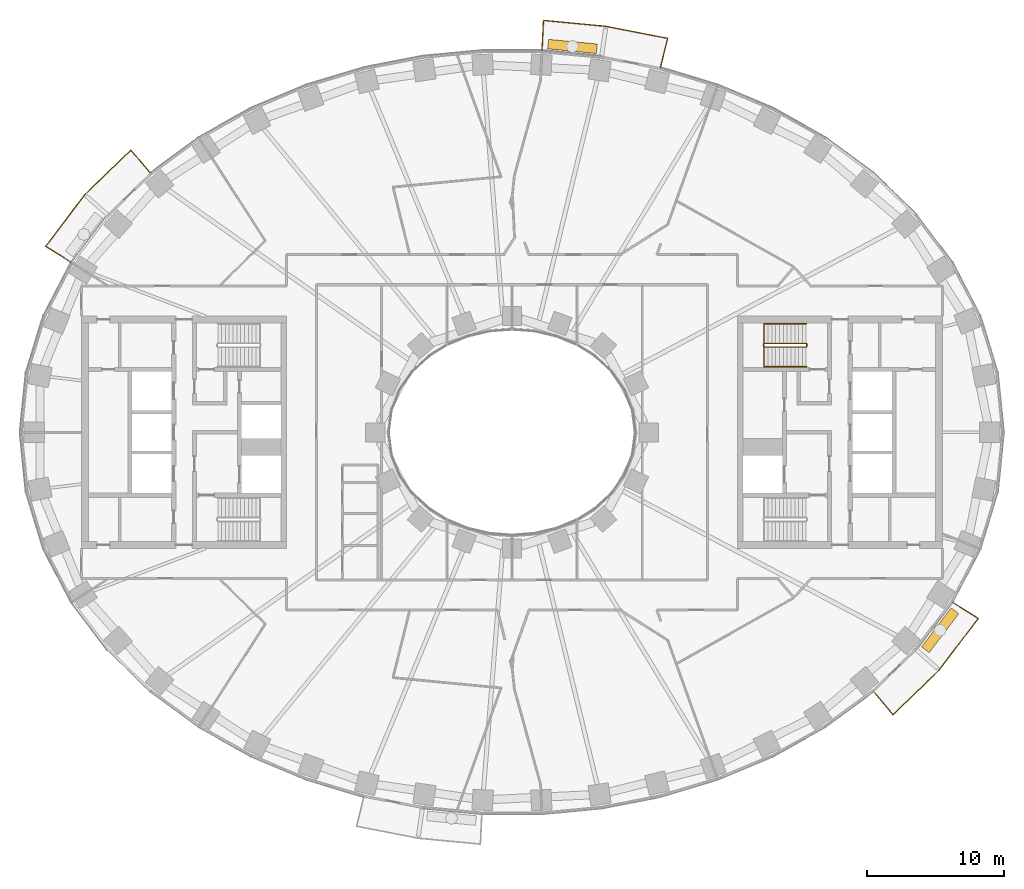
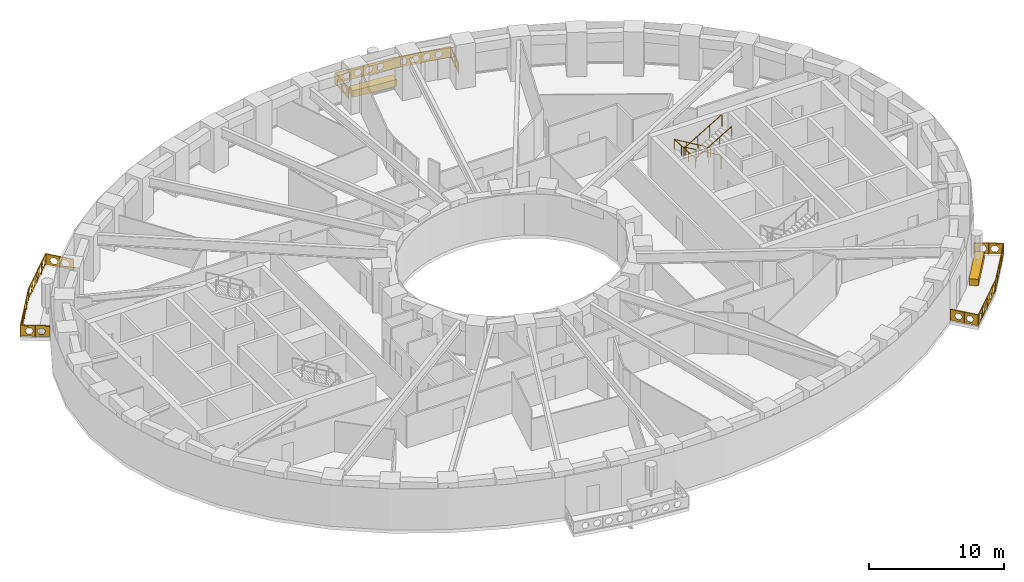
# One storey, part 15 of 16: 5 railings, 2 coverings.
"""IFC4 building model written with IfcOpenShell, lengths in metres."""

import ifcopenshell
import ifcopenshell.guid

model = None  # the IFC model being written
_history = None  # IfcOwnerHistory: only IFC2X3 demands one
_inside = {}  # id of a spatial element -> (the spatial element, [elements in it])
_under = {}  # id of a project, library or spatial element -> (it, [spatial elements below it])
_declared = {}  # id of a project -> (the project, [libraries it declares])
_typed = {}  # id of a type object -> (the type object, [elements of that type])
_made_of = {}  # id of a material, layer set ... -> (it, [elements and type objects made of it])


def new_model(schema):
    """Start an empty IFC model of exactly this schema.

    Asked for "IFC4X3", IfcOpenShell would pick the latest addendum, in which some entities
    have other attributes; the version numbers below select the first issue.
    IFC2X3 requires an IfcOwnerHistory on every rooted entity: one is made here for all.
    """
    global model, _history
    if schema == "IFC4X3":
        model = ifcopenshell.file(schema_version=(4, 3, 0, 0))
    else:
        model = ifcopenshell.file(schema=schema)
    _inside.clear()
    _under.clear()
    _declared.clear()
    _typed.clear()
    _made_of.clear()
    _history = None
    if model.schema == "IFC2X3":
        org = make("IfcOrganization", Name="unknown")
        user = make(
            "IfcPersonAndOrganization",
            ThePerson=make("IfcPerson", FamilyName="unknown"),
            TheOrganization=org,
        )
        app = make(
            "IfcApplication",
            ApplicationDeveloper=org,
            Version="unknown",
            ApplicationFullName="unknown",
            ApplicationIdentifier="unknown",
        )
        _history = make(
            "IfcOwnerHistory",
            OwningUser=user,
            OwningApplication=app,
            ChangeAction="ADDED",
            CreationDate=0,
        )
    return model


def make(cls, **values):
    """One entity of the class cls with the attributes given. An attribute that is None is left unset."""
    return model.create_entity(
        cls, **{name: value for name, value in values.items() if value is not None}
    )


def rooted(cls, **values):
    """An entity with a GlobalId (a new one), such as an element, a storey or a relation."""
    return make(cls, GlobalId=ifcopenshell.guid.new(), OwnerHistory=_history, **values)


def si_unit(unit_type, name, prefix=None):
    """IfcSIUnit, for example si_unit("LENGTHUNIT", "METRE", prefix="MILLI")."""
    return make("IfcSIUnit", UnitType=unit_type, Prefix=prefix, Name=name)


def assignment(units):
    """IfcUnitAssignment: the units of a project."""
    return None if units is None else make("IfcUnitAssignment", Units=units)


def point(xyz):
    """IfcCartesianPoint."""
    return None if xyz is None else make("IfcCartesianPoint", Coordinates=xyz)


def direction(xyz):
    """IfcDirection."""
    return None if xyz is None else make("IfcDirection", DirectionRatios=xyz)


def frame(location, z_axis=None, x_axis=None):
    """IfcAxis2Placement3D, a coordinate frame: its origin and axes. An axis left out is left unset."""
    return make(
        "IfcAxis2Placement3D",
        Location=point(location),
        Axis=direction(z_axis),
        RefDirection=direction(x_axis),
    )


def frame_2d(location, x_axis=None):
    """IfcAxis2Placement2D, a coordinate frame in the plane: its origin and x axis."""
    return make(
        "IfcAxis2Placement2D", Location=point(location), RefDirection=direction(x_axis)
    )


def origin():
    """The frame at (0, 0, 0) with its axes left unset."""
    return frame((0.0, 0.0, 0.0))


def origin_2d():
    """The frame at (0, 0) in the plane with its x axis left unset."""
    return frame_2d((0.0, 0.0))


def place(relative_to, where):
    """IfcLocalPlacement: puts the frame where relative to a parent placement (None: the world)."""
    return make(
        "IfcLocalPlacement", PlacementRelTo=relative_to, RelativePlacement=where
    )


def context(
    kind, dimensions, precision=None, world=None, true_north=None, identifier=None
):
    """IfcGeometricRepresentationContext, for example the 3D "Model" context."""
    return make(
        "IfcGeometricRepresentationContext",
        ContextIdentifier=identifier,
        ContextType=kind,
        CoordinateSpaceDimension=dimensions,
        Precision=precision,
        WorldCoordinateSystem=world,
        TrueNorth=true_north,
    )


def subcontext(parent, identifier, kind, view, scale=None):
    """IfcGeometricRepresentationSubContext, for example "Body" below "Model"."""
    return make(
        "IfcGeometricRepresentationSubContext",
        ContextIdentifier=identifier,
        ContextType=kind,
        ParentContext=parent,
        TargetScale=scale,
        TargetView=view,
    )


def project(units=None, contexts=None):
    """IfcProject with its units and contexts."""
    return rooted(
        "IfcProject",
        Name="project",
        RepresentationContexts=contexts,
        UnitsInContext=assignment(units),
    )


def spatial(cls, under=None, at=None, **own):
    """A site, building, storey or space (cls), placed at a placement, below another one or the project."""
    s = rooted(cls, ObjectPlacement=at, **own)
    if under is not None:
        _under.setdefault(under.id(), (under, []))[1].append(s)
    return s


def polyline(points):
    """IfcPolyline through the points."""
    return make("IfcPolyline", Points=[point(p) for p in points])


def profile(cls, at=None, kind="AREA", **sizes):
    """A parametric profile (cls). Its sizes go by their IFC names, for example OverallWidth=200.0."""
    return make(cls, ProfileType=kind, Position=at, **sizes)


def rectangle(**sizes):
    """IfcRectangleProfileDef."""
    return profile("IfcRectangleProfileDef", **sizes)


def outline(outer, holes=None, kind="AREA"):
    """IfcArbitraryClosedProfileDef: a profile drawn as a closed curve; with holes, ...WithVoids."""
    if holes is None:
        return make("IfcArbitraryClosedProfileDef", ProfileType=kind, OuterCurve=outer)
    return make(
        "IfcArbitraryProfileDefWithVoids",
        ProfileType=kind,
        OuterCurve=outer,
        InnerCurves=holes,
    )


def extrude(swept, where, along, depth):
    """IfcExtrudedAreaSolid: the profile swept, set in the frame where, extruded along a direction by depth."""
    return make(
        "IfcExtrudedAreaSolid",
        SweptArea=swept,
        Position=where,
        ExtrudedDirection=direction(along),
        Depth=depth,
    )


def shape(context_of_items, identifier, shape_type, items):
    """IfcShapeRepresentation: the items that make up one representation, for example the "Body"."""
    return make(
        "IfcShapeRepresentation",
        ContextOfItems=context_of_items,
        RepresentationIdentifier=identifier,
        RepresentationType=shape_type,
        Items=items,
    )


def material(Name=None, Category=None):
    """IfcMaterial."""
    return make("IfcMaterial", Name=Name, Category=Category)


def made_of(thing, what):
    """Note that an element or type object is made of a material, layer set ...; save() writes the relation."""
    if what is not None:
        _made_of.setdefault(what.id(), (what, []))[1].append(thing)
    return thing


def type_object(cls, material=None, **own):
    """A type object (cls), such as IfcWallType, which elements share."""
    return made_of(rooted(cls, **own), material)


def element(
    cls,
    number,
    at=None,
    inside=None,
    cuts=None,
    type_object=None,
    material=None,
    context=None,
    identifier="Body",
    shape_type=None,
    held_by="IfcProductDefinitionShape",
    body=None,
    shapes=None,
    **own,
):
    """One element of the class cls, such as IfcWall. Its Tag is "e" and its number.

    at: its placement. inside: the storey or other place that contains it. cuts: it is an
    opening in that element (IfcRelVoidsElement). A single representation is given by context,
    identifier, shape_type and body (its items); several are given by shapes. held_by: the class
    of the entity that holds the representations. save() writes the other relations.
    """
    e = rooted(cls, Tag="e%d" % number, ObjectPlacement=at, **own)
    if body is not None:
        shapes = [shape(context, identifier, shape_type, body)]
    if shapes is not None:
        e.Representation = make(held_by, Representations=shapes)
    if inside is not None:
        _inside.setdefault(inside.id(), (inside, []))[1].append(e)
    if cuts is not None:
        rooted(
            "IfcRelVoidsElement", RelatingBuildingElement=cuts, RelatedOpeningElement=e
        )
    if type_object is not None:
        _typed.setdefault(type_object.id(), (type_object, []))[1].append(e)
    return made_of(e, material)


def aggregate(whole, parts):
    """IfcRelAggregates: a whole, such as a stair, and the parts it consists of."""
    return rooted("IfcRelAggregates", RelatingObject=whole, RelatedObjects=parts)


def save(model, path):
    """Write the relations noted so far, then the file.

    IfcRelAggregates (storeys below a building ...), IfcRelContainedInSpatialStructure (elements
    in a storey), IfcRelDefinesByType, IfcRelAssociatesMaterial and IfcRelDeclares: one each for
    every whole, place, type object, material and project.
    """
    for whole, parts in _under.values():
        aggregate(whole, parts)
    for where, things in _inside.values():
        rooted(
            "IfcRelContainedInSpatialStructure",
            RelatedElements=things,
            RelatingStructure=where,
        )
    for kind, things in _typed.values():
        rooted("IfcRelDefinesByType", RelatedObjects=things, RelatingType=kind)
    for what, things in _made_of.values():
        rooted("IfcRelAssociatesMaterial", RelatedObjects=things, RelatingMaterial=what)
    for by, libraries in _declared.values():
        rooted("IfcRelDeclares", RelatingContext=by, RelatedDefinitions=libraries)
    model.write(path)


model = new_model("IFC4")

# Units and contexts
model_context = context("Model", 3, precision=1e-05, world=origin(), true_north=direction((0.0, 1.0)))
body_context = subcontext(model_context, "Body", "Model", "MODEL_VIEW")
ifc_project = project(units=[si_unit("LENGTHUNIT", "METRE"), si_unit("AREAUNIT", "SQUARE_METRE"), si_unit("VOLUMEUNIT", "CUBIC_METRE"), si_unit("PLANEANGLEUNIT", "RADIAN"), si_unit("MASSUNIT", "GRAM", prefix="KILO")], contexts=[model_context])

# Site, building, storey
site_placement = place(None, origin())
site = spatial("IfcSite", under=ifc_project, at=site_placement, CompositionType="ELEMENT")
building_placement = place(site_placement, origin())
building = spatial("IfcBuilding", under=site, at=building_placement, Name="Noorbagh Ring Tower", CompositionType="ELEMENT")
storey_placement = place(building_placement, frame((0.0, 0.0, 46.5)))
storey = spatial("IfcBuildingStorey", under=building, at=storey_placement, Name="L09", CompositionType="ELEMENT", Elevation=46.5)

# Railings
ifc_material_1 = material(Name="Stainless steel", Category="steel")
railing_type_1 = type_object("IfcRailingType", Name="CORE-STAIR-GUARD", PredefinedType="GUARDRAIL", material=ifc_material_1)
railing_1_placement = place(storey_placement, frame((21.580078125, 6.449951171875, 0.0)))
element("IfcRailing", 1, at=railing_1_placement, inside=storey, type_object=railing_type_1, Name="L09 ST3 stair guard", PredefinedType="GUARDRAIL", context=body_context, shape_type="SweptSolid", body=[
    extrude(rectangle(XDim=0.048095703125, YDim=0.048095703125, at=origin_2d()), frame((0.0, 0.0, 1.076171875), z_axis=(0.0, -1.0, 0.0), x_axis=(1.0, 0.0, 0.0)), (0.0, 0.0, 1.0), 0.14990234375),
    extrude(rectangle(XDim=0.048095703125, YDim=0.048095703125, at=origin_2d()), frame((0.0, -0.14990234375, 1.076171875), z_axis=(-0.188775798145, 0.754182335027, 0.628945707965), x_axis=(-0.970072785993, -0.242814311512, 0.0)), (0.0, 0.0, 1.0), 0.26513671875),
    extrude(rectangle(XDim=0.048095703125, YDim=0.048095703125, at=origin_2d()), frame((-0.050048828125, 0.050048828125, 1.24267578125), z_axis=(-0.859308565015, 0.0, 0.511457515432), x_axis=(0.0, -1.0, 0.0)), (0.0, 0.0, 1.0), 3.58447265625),
    extrude(rectangle(XDim=0.048095703125, YDim=0.048095703125, at=origin_2d()), frame((-3.130126953125, 0.050048828125, 3.076171875), z_axis=(-0.707106781187, -0.707106781187, 0.0), x_axis=(0.707106781187, -0.707106781187, 0.0)), (0.0, 0.0, 1.0), 0.07080078125),
    extrude(rectangle(XDim=0.048095703125, YDim=0.048095703125, at=origin_2d()), frame((-3.18017578125, 0.0, 3.076171875), z_axis=(0.0, -1.0, 0.0), x_axis=(1.0, 0.0, 0.0)), (0.0, 0.0, 1.0), 0.14990234375),
    extrude(rectangle(XDim=0.048095703125, YDim=0.048095703125, at=origin_2d()), frame((-3.18017578125, -0.14990234375, 3.076171875), z_axis=(0.27628659633, -0.27628659633, 0.920506074601), x_axis=(0.707106781187, 0.707106781187, 0.0)), (0.0, 0.0, 1.0), 0.18115234375),
    extrude(rectangle(XDim=0.048095703125, YDim=0.048095703125, at=origin_2d()), frame((-3.130126953125, -0.199951171875, 3.24267578125), z_axis=(0.859308565015, 0.0, 0.511457515432), x_axis=(0.0, 1.0, 0.0)), (0.0, 0.0, 1.0), 3.58447265625),
    extrude(rectangle(XDim=0.0419921875, YDim=0.0419921875, at=origin_2d()), origin(), (0.0, 0.0, 1.0), 1.052001953125),
    extrude(rectangle(XDim=0.0419921875, YDim=0.0419921875, at=origin_2d()), frame((-1.07666015625, 0.050048828125, 0.77783203125)), (0.0, 0.0, 1.0), 1.052001953125),
    extrude(rectangle(XDim=0.0419921875, YDim=0.0419921875, at=origin_2d()), frame((-2.103515625, 0.050048828125, 1.388916015625)), (0.0, 0.0, 1.0), 1.052001953125),
    extrude(rectangle(XDim=0.0419921875, YDim=0.0419921875, at=origin_2d()), frame((-3.130126953125, 0.050048828125, 2.0)), (0.0, 0.0, 1.0), 1.052001953125),
    extrude(rectangle(XDim=0.0419921875, YDim=0.0419921875, at=origin_2d()), frame((-3.130126953125, -0.199951171875, 2.166748046875)), (0.0, 0.0, 1.0), 1.052001953125),
    extrude(rectangle(XDim=0.0419921875, YDim=0.0419921875, at=origin_2d()), frame((-2.103515625, -0.199951171875, 2.77783203125)), (0.0, 0.0, 1.0), 1.052001953125),
    extrude(rectangle(XDim=0.0419921875, YDim=0.0419921875, at=origin_2d()), frame((-1.07666015625, -0.199951171875, 3.388916015625)), (0.0, 0.0, 1.0), 1.052001953125),
    extrude(rectangle(XDim=0.0419921875, YDim=0.0419921875, at=origin_2d()), frame((-0.050048828125, -0.199951171875, 4.0)), (0.0, 0.0, 1.0), 1.052001953125),
])
ifc_material_2 = material(Name="Stainless steel", Category="steel")
railing_type_2 = type_object("IfcRailingType", Name="CORE-STAIR-HANDRAIL", PredefinedType="HANDRAIL", material=ifc_material_2)
railing_2_placement = place(storey_placement, frame((21.530029296875, 7.949951171875, 0.166748046875)))
element("IfcRailing", 2, at=railing_2_placement, inside=storey, type_object=railing_type_2, Name="L09 ST3 stair handrail", PredefinedType="HANDRAIL", context=body_context, shape_type="SweptSolid", body=[
    extrude(rectangle(XDim=0.048095703125, YDim=0.048095703125, at=origin_2d()), frame((0.0, 0.0, 0.8759765625), z_axis=(-0.859308565015, 0.0, 0.511457515432), x_axis=(0.0, -1.0, 0.0)), (0.0, 0.0, 1.0), 3.58447265625),
    extrude(rectangle(XDim=0.048095703125, YDim=0.048095703125, at=origin_2d()), frame((-3.080078125, 0.0, 2.708984375), z_axis=(0.0, -0.998601747152, 0.052863509014), x_axis=(1.0, 0.0, 0.0)), (0.0, 0.0, 1.0), 3.154296875),
    extrude(rectangle(XDim=0.048095703125, YDim=0.048095703125, at=origin_2d()), frame((-3.080078125, -3.14990234375, 2.8759765625), z_axis=(0.859308565015, 0.0, 0.511457515432), x_axis=(0.0, 1.0, 0.0)), (0.0, 0.0, 1.0), 3.58447265625),
    extrude(rectangle(XDim=0.0419921875, YDim=0.0419921875, at=origin_2d()), origin(), (0.0, 0.0, 1.0), 0.851806640625),
    extrude(rectangle(XDim=0.0419921875, YDim=0.0419921875, at=origin_2d()), frame((-1.026611328125, 0.0, 0.611083984375)), (0.0, 0.0, 1.0), 0.851806640625),
    extrude(rectangle(XDim=0.0419921875, YDim=0.0419921875, at=origin_2d()), frame((-2.053466796875, 0.0, 1.22216796875)), (0.0, 0.0, 1.0), 0.851806640625),
    extrude(rectangle(XDim=0.0419921875, YDim=0.0419921875, at=origin_2d()), frame((-3.080078125, 0.0, 1.833251953125)), (0.0, 0.0, 1.0), 0.851806640625),
    extrude(rectangle(XDim=0.0419921875, YDim=0.0419921875, at=origin_2d()), frame((-3.080078125, -1.050048828125, 1.888916015625)), (0.0, 0.0, 1.0), 0.851806640625),
    extrude(rectangle(XDim=0.0419921875, YDim=0.0419921875, at=origin_2d()), frame((-3.080078125, -2.099853515625, 1.9443359375)), (0.0, 0.0, 1.0), 0.851806640625),
    extrude(rectangle(XDim=0.0419921875, YDim=0.0419921875, at=origin_2d()), frame((-3.080078125, -3.14990234375, 2.0)), (0.0, 0.0, 1.0), 0.851806640625),
    extrude(rectangle(XDim=0.0419921875, YDim=0.0419921875, at=origin_2d()), frame((-2.053466796875, -3.14990234375, 2.611083984375)), (0.0, 0.0, 1.0), 0.851806640625),
    extrude(rectangle(XDim=0.0419921875, YDim=0.0419921875, at=origin_2d()), frame((-1.026611328125, -3.14990234375, 3.22216796875)), (0.0, 0.0, 1.0), 0.851806640625),
    extrude(rectangle(XDim=0.0419921875, YDim=0.0419921875, at=origin_2d()), frame((0.0, -3.14990234375, 3.833251953125)), (0.0, 0.0, 1.0), 0.851806640625),
])
ifc_material_3 = material(Name="Steel S275 black powder-coated", Category="steel")
railing_type_3 = type_object("IfcRailingType", Name="ENV-GUARD", PredefinedType="GUARDRAIL", material=ifc_material_3)
railing_3_placement = place(storey_placement, frame((10.865234375, 26.6943359375, 0.0)))
element("IfcRailing", 3, at=railing_3_placement, inside=storey, type_object=railing_type_3, Name="Balcony guard BN03", PredefinedType="GUARDRAIL", context=body_context, shape_type="SweptSolid", body=[
    extrude(rectangle(XDim=0.048095703125, YDim=0.048095703125, at=origin_2d()), frame((0.0, 0.0, 1.076171875), z_axis=(0.239848558412, 0.970810315679, 0.0), x_axis=(-0.970810315679, 0.239848558412, 0.0)), (0.0, 0.0, 1.0), 2.20263671875),
    extrude(rectangle(XDim=0.048095703125, YDim=0.048095703125, at=origin_2d()), frame((0.5283203125, 2.138427734375, 1.076171875), z_axis=(-0.981625049064, 0.1908199755, 0.0), x_axis=(-0.1908199755, -0.981625049064, 0.0)), (0.0, 0.0, 1.0), 4.603271484375),
    extrude(rectangle(XDim=0.048095703125, YDim=0.048095703125, at=origin_2d()), frame((-3.990478515625, 3.016845703125, 1.076171875), z_axis=(-0.995477555764, 0.094997031379, 0.0), x_axis=(-0.094997031379, -0.995477555764, 0.0)), (0.0, 0.0, 1.0), 4.59765625),
    extrude(rectangle(XDim=0.048095703125, YDim=0.048095703125, at=origin_2d()), frame((-8.5673828125, 3.45361328125, 1.076171875), z_axis=(-0.047554616162, -0.998868639252, 0.0), x_axis=(0.998868639252, -0.047554616162, 0.0)), (0.0, 0.0, 1.0), 2.202392578125),
    extrude(rectangle(XDim=0.0419921875, YDim=0.0419921875, at=origin_2d()), origin(), (0.0, 0.0, 1.0), 1.052001953125),
    extrude(rectangle(XDim=0.0419921875, YDim=0.0419921875, at=origin_2d()), frame((0.26416015625, 1.0693359375, 0.0)), (0.0, 0.0, 1.0), 1.052001953125),
    extrude(rectangle(XDim=0.0419921875, YDim=0.0419921875, at=origin_2d()), frame((0.5283203125, 2.138427734375, 0.0)), (0.0, 0.0, 1.0), 1.052001953125),
    extrude(rectangle(XDim=0.0419921875, YDim=0.0419921875, at=origin_2d()), frame((-0.601318359375, 2.35791015625, 0.0)), (0.0, 0.0, 1.0), 1.052001953125),
    extrude(rectangle(XDim=0.0419921875, YDim=0.0419921875, at=origin_2d()), frame((-1.73095703125, 2.57763671875, 0.0)), (0.0, 0.0, 1.0), 1.052001953125),
    extrude(rectangle(XDim=0.0419921875, YDim=0.0419921875, at=origin_2d()), frame((-2.86083984375, 2.79736328125, 0.0)), (0.0, 0.0, 1.0), 1.052001953125),
    extrude(rectangle(XDim=0.0419921875, YDim=0.0419921875, at=origin_2d()), frame((-3.990478515625, 3.016845703125, 0.0)), (0.0, 0.0, 1.0), 1.052001953125),
    extrude(rectangle(XDim=0.0419921875, YDim=0.0419921875, at=origin_2d()), frame((-5.134765625, 3.1259765625, 0.0)), (0.0, 0.0, 1.0), 1.052001953125),
    extrude(rectangle(XDim=0.0419921875, YDim=0.0419921875, at=origin_2d()), frame((-6.27880859375, 3.2353515625, 0.0)), (0.0, 0.0, 1.0), 1.052001953125),
    extrude(rectangle(XDim=0.0419921875, YDim=0.0419921875, at=origin_2d()), frame((-7.423095703125, 3.344482421875, 0.0)), (0.0, 0.0, 1.0), 1.052001953125),
    extrude(rectangle(XDim=0.0419921875, YDim=0.0419921875, at=origin_2d()), frame((-8.5673828125, 3.45361328125, 0.0)), (0.0, 0.0, 1.0), 1.052001953125),
    extrude(rectangle(XDim=0.0419921875, YDim=0.0419921875, at=origin_2d()), frame((-8.61962890625, 2.353515625, 0.0)), (0.0, 0.0, 1.0), 1.052001953125),
    extrude(rectangle(XDim=0.0419921875, YDim=0.0419921875, at=origin_2d()), frame((-8.672119140625, 1.253662109375, 0.0)), (0.0, 0.0, 1.0), 1.052001953125),
    extrude(outline(polyline([(0.0, 0.10009765625), (2.20263671875, 0.10009765625), (2.20263671875, 1.031982421875), (0.0, 1.031982421875), (0.0, 0.10009765625)]), holes=[polyline([(0.96142578125, 0.56591796875), (0.806396484375, 0.83447265625), (0.496337890625, 0.83447265625), (0.34130859375, 0.56591796875), (0.496337890625, 0.297607421875), (0.806396484375, 0.297607421875), (0.96142578125, 0.56591796875)]), polyline([(1.861328125, 0.56591796875), (1.706298828125, 0.83447265625), (1.396240234375, 0.83447265625), (1.241455078125, 0.56591796875), (1.396240234375, 0.297607421875), (1.706298828125, 0.297607421875), (1.861328125, 0.56591796875)])]), frame((-0.009765625, 0.00244140625, 0.0), z_axis=(0.970810315679, -0.239848558412, 0.0), x_axis=(0.239848558412, 0.970810315679, 0.0)), (0.0, 0.0, 1.0), 0.02001953125),
    extrude(outline(polyline([(0.0, 0.10009765625), (4.603271484375, 0.10009765625), (4.603271484375, 1.031982421875), (0.0, 1.031982421875), (0.0, 0.10009765625)]), holes=[polyline([(1.26171875, 0.56591796875), (1.106689453125, 0.83447265625), (0.796630859375, 0.83447265625), (0.6416015625, 0.56591796875), (0.796630859375, 0.297607421875), (1.106689453125, 0.297607421875), (1.26171875, 0.56591796875)]), polyline([(2.16162109375, 0.56591796875), (2.006591796875, 0.83447265625), (1.69677734375, 0.83447265625), (1.541748046875, 0.56591796875), (1.69677734375, 0.297607421875), (2.006591796875, 0.297607421875), (2.16162109375, 0.56591796875)]), polyline([(3.061767578125, 0.56591796875), (2.90673828125, 0.83447265625), (2.5966796875, 0.83447265625), (2.441650390625, 0.56591796875), (2.5966796875, 0.297607421875), (2.90673828125, 0.297607421875), (3.061767578125, 0.56591796875)]), polyline([(3.961669921875, 0.56591796875), (3.806640625, 0.83447265625), (3.49658203125, 0.83447265625), (3.341796875, 0.56591796875), (3.49658203125, 0.297607421875), (3.806640625, 0.297607421875), (3.961669921875, 0.56591796875)])]), frame((0.5263671875, 2.128662109375, 0.0), z_axis=(0.1908199755, 0.981625049064, 0.0), x_axis=(-0.981625049064, 0.1908199755, 0.0)), (0.0, 0.0, 1.0), 0.02001953125),
    extrude(outline(polyline([(0.0, 0.10009765625), (4.59765625, 0.10009765625), (4.59765625, 1.031982421875), (0.0, 1.031982421875), (0.0, 0.10009765625)]), holes=[polyline([(1.2587890625, 0.56591796875), (1.103759765625, 0.83447265625), (0.7939453125, 0.83447265625), (0.638916015625, 0.56591796875), (0.7939453125, 0.297607421875), (1.103759765625, 0.297607421875), (1.2587890625, 0.56591796875)]), polyline([(2.158935546875, 0.56591796875), (2.00390625, 0.83447265625), (1.69384765625, 0.83447265625), (1.538818359375, 0.56591796875), (1.69384765625, 0.297607421875), (2.00390625, 0.297607421875), (2.158935546875, 0.56591796875)]), polyline([(3.058837890625, 0.56591796875), (2.90380859375, 0.83447265625), (2.59375, 0.83447265625), (2.43896484375, 0.56591796875), (2.59375, 0.297607421875), (2.90380859375, 0.297607421875), (3.058837890625, 0.56591796875)]), polyline([(3.958740234375, 0.56591796875), (3.803955078125, 0.83447265625), (3.493896484375, 0.83447265625), (3.3388671875, 0.56591796875), (3.493896484375, 0.297607421875), (3.803955078125, 0.297607421875), (3.958740234375, 0.56591796875)])]), frame((-3.991455078125, 3.0068359375, 0.0), z_axis=(0.094997031379, 0.995477555764, 0.0), x_axis=(-0.995477555764, 0.094997031379, 0.0)), (0.0, 0.0, 1.0), 0.02001953125),
    extrude(outline(polyline([(0.0, 0.10009765625), (2.202392578125, 0.10009765625), (2.202392578125, 1.031982421875), (0.0, 1.031982421875), (0.0, 0.10009765625)]), holes=[polyline([(0.961181640625, 0.56591796875), (0.80615234375, 0.83447265625), (0.496337890625, 0.83447265625), (0.34130859375, 0.56591796875), (0.496337890625, 0.297607421875), (0.80615234375, 0.297607421875), (0.961181640625, 0.56591796875)]), polyline([(1.861328125, 0.56591796875), (1.706298828125, 0.83447265625), (1.396240234375, 0.83447265625), (1.2412109375, 0.56591796875), (1.396240234375, 0.297607421875), (1.706298828125, 0.297607421875), (1.861328125, 0.56591796875)])]), frame((-8.557373046875, 3.453125, 0.0), z_axis=(-0.998868639252, 0.047554616162, 0.0), x_axis=(-0.047554616162, -0.998868639252, 0.0)), (0.0, 0.0, 1.0), 0.02001953125),
])
railing_4_placement = place(storey_placement, frame((-26.463134765625, 18.983154296875, 0.0)))
element("IfcRailing", 4, at=railing_4_placement, inside=storey, type_object=railing_type_3, Name="Balcony guard BN06", PredefinedType="GUARDRAIL", context=body_context, shape_type="SweptSolid", body=[
    extrude(rectangle(XDim=0.048095703125, YDim=0.048095703125, at=origin_2d()), frame((0.0, 0.0, 1.076171875), z_axis=(-0.646413574048, 0.762987215677, 0.0), x_axis=(-0.762987215677, -0.646413574048, 0.0)), (0.0, 0.0, 1.0), 2.205322265625),
    extrude(rectangle(XDim=0.048095703125, YDim=0.048095703125, at=origin_2d()), frame((-1.425537109375, 1.6826171875, 1.076171875), z_axis=(-0.717212632946, -0.696854388766, 0.0), x_axis=(0.696854388766, -0.717212632946, 0.0)), (0.0, 0.0, 1.0), 4.700927734375),
    extrude(rectangle(XDim=0.048095703125, YDim=0.048095703125, at=origin_2d()), frame((-4.797119140625, -1.59326171875, 1.076171875), z_axis=(-0.604001613322, -0.796983093362, 0.0), x_axis=(0.796983093362, -0.604001613322, 0.0)), (0.0, 0.0, 1.0), 4.7353515625),
    extrude(rectangle(XDim=0.048095703125, YDim=0.048095703125, at=origin_2d()), frame((-7.6572265625, -5.3671875, 1.076171875), z_axis=(0.844852397829, -0.534999463442, 0.0), x_axis=(0.534999463442, 0.844852397829, 0.0)), (0.0, 0.0, 1.0), 2.207763671875),
    extrude(rectangle(XDim=0.0419921875, YDim=0.0419921875, at=origin_2d()), origin(), (0.0, 0.0, 1.0), 1.052001953125),
    extrude(rectangle(XDim=0.0419921875, YDim=0.0419921875, at=origin_2d()), frame((-0.712890625, 0.84130859375, 0.0)), (0.0, 0.0, 1.0), 1.052001953125),
    extrude(rectangle(XDim=0.0419921875, YDim=0.0419921875, at=origin_2d()), frame((-1.425537109375, 1.6826171875, 0.0)), (0.0, 0.0, 1.0), 1.052001953125),
    extrude(rectangle(XDim=0.0419921875, YDim=0.0419921875, at=origin_2d()), frame((-2.2685546875, 0.86376953125, 0.0)), (0.0, 0.0, 1.0), 1.052001953125),
    extrude(rectangle(XDim=0.0419921875, YDim=0.0419921875, at=origin_2d()), frame((-3.111328125, 0.044677734375, 0.0)), (0.0, 0.0, 1.0), 1.052001953125),
    extrude(rectangle(XDim=0.0419921875, YDim=0.0419921875, at=origin_2d()), frame((-3.9541015625, -0.7744140625, 0.0)), (0.0, 0.0, 1.0), 1.052001953125),
    extrude(rectangle(XDim=0.0419921875, YDim=0.0419921875, at=origin_2d()), frame((-4.797119140625, -1.59326171875, 0.0)), (0.0, 0.0, 1.0), 1.052001953125),
    extrude(rectangle(XDim=0.0419921875, YDim=0.0419921875, at=origin_2d()), frame((-5.51220703125, -2.53662109375, 0.0)), (0.0, 0.0, 1.0), 1.052001953125),
    extrude(rectangle(XDim=0.0419921875, YDim=0.0419921875, at=origin_2d()), frame((-6.22705078125, -3.480224609375, 0.0)), (0.0, 0.0, 1.0), 1.052001953125),
    extrude(rectangle(XDim=0.0419921875, YDim=0.0419921875, at=origin_2d()), frame((-6.942138671875, -4.423828125, 0.0)), (0.0, 0.0, 1.0), 1.052001953125),
    extrude(rectangle(XDim=0.0419921875, YDim=0.0419921875, at=origin_2d()), frame((-7.6572265625, -5.3671875, 0.0)), (0.0, 0.0, 1.0), 1.052001953125),
    extrude(rectangle(XDim=0.0419921875, YDim=0.0419921875, at=origin_2d()), frame((-6.724609375, -5.957763671875, 0.0)), (0.0, 0.0, 1.0), 1.052001953125),
    extrude(rectangle(XDim=0.0419921875, YDim=0.0419921875, at=origin_2d()), frame((-5.7919921875, -6.54833984375, 0.0)), (0.0, 0.0, 1.0), 1.052001953125),
    extrude(outline(polyline([(0.0, 0.10009765625), (2.205322265625, 0.10009765625), (2.205322265625, 1.031982421875), (0.0, 1.031982421875), (0.0, 0.10009765625)]), holes=[polyline([(0.962646484375, 0.56591796875), (0.8076171875, 0.83447265625), (0.49755859375, 0.83447265625), (0.342529296875, 0.56591796875), (0.49755859375, 0.297607421875), (0.8076171875, 0.297607421875), (0.962646484375, 0.56591796875)]), polyline([(1.862548828125, 0.56591796875), (1.707763671875, 0.83447265625), (1.397705078125, 0.83447265625), (1.24267578125, 0.56591796875), (1.397705078125, 0.297607421875), (1.707763671875, 0.297607421875), (1.862548828125, 0.56591796875)])]), frame((-0.007568359375, -0.00634765625, 0.0), z_axis=(0.762987215677, 0.646413574048, 0.0), x_axis=(-0.646413574048, 0.762987215677, 0.0)), (0.0, 0.0, 1.0), 0.02001953125),
    extrude(outline(polyline([(0.0, 0.10009765625), (4.700927734375, 0.10009765625), (4.700927734375, 1.031982421875), (0.0, 1.031982421875), (0.0, 0.10009765625)]), holes=[polyline([(0.860595703125, 0.56591796875), (0.70556640625, 0.83447265625), (0.3955078125, 0.83447265625), (0.240478515625, 0.56591796875), (0.3955078125, 0.297607421875), (0.70556640625, 0.297607421875), (0.860595703125, 0.56591796875)]), polyline([(1.760498046875, 0.56591796875), (1.60546875, 0.83447265625), (1.29541015625, 0.83447265625), (1.140380859375, 0.56591796875), (1.29541015625, 0.297607421875), (1.60546875, 0.297607421875), (1.760498046875, 0.56591796875)]), polyline([(2.660400390625, 0.56591796875), (2.50537109375, 0.83447265625), (2.195556640625, 0.83447265625), (2.04052734375, 0.56591796875), (2.195556640625, 0.297607421875), (2.50537109375, 0.297607421875), (2.660400390625, 0.56591796875)]), polyline([(3.560546875, 0.56591796875), (3.405517578125, 0.83447265625), (3.095458984375, 0.83447265625), (2.9404296875, 0.56591796875), (3.095458984375, 0.297607421875), (3.405517578125, 0.297607421875), (3.560546875, 0.56591796875)]), polyline([(4.46044921875, 0.56591796875), (4.305419921875, 0.83447265625), (3.995361328125, 0.83447265625), (3.840576171875, 0.56591796875), (3.995361328125, 0.297607421875), (4.305419921875, 0.297607421875), (4.46044921875, 0.56591796875)])]), frame((-1.41845703125, 1.675537109375, 0.0), z_axis=(-0.696854388766, 0.717212632946, 0.0), x_axis=(-0.717212632946, -0.696854388766, 0.0)), (0.0, 0.0, 1.0), 0.02001953125),
    extrude(outline(polyline([(0.0, 0.10009765625), (4.7353515625, 0.10009765625), (4.7353515625, 1.031982421875), (0.0, 1.031982421875), (0.0, 0.10009765625)]), holes=[polyline([(0.877685546875, 0.56591796875), (0.72265625, 0.83447265625), (0.41259765625, 0.83447265625), (0.257568359375, 0.56591796875), (0.41259765625, 0.297607421875), (0.72265625, 0.297607421875), (0.877685546875, 0.56591796875)]), polyline([(1.777587890625, 0.56591796875), (1.62255859375, 0.83447265625), (1.312744140625, 0.83447265625), (1.15771484375, 0.56591796875), (1.312744140625, 0.297607421875), (1.62255859375, 0.297607421875), (1.777587890625, 0.56591796875)]), polyline([(2.677734375, 0.56591796875), (2.522705078125, 0.83447265625), (2.212646484375, 0.83447265625), (2.0576171875, 0.56591796875), (2.212646484375, 0.297607421875), (2.522705078125, 0.297607421875), (2.677734375, 0.56591796875)]), polyline([(3.57763671875, 0.56591796875), (3.422607421875, 0.83447265625), (3.112548828125, 0.83447265625), (2.95751953125, 0.56591796875), (3.112548828125, 0.297607421875), (3.422607421875, 0.297607421875), (3.57763671875, 0.56591796875)]), polyline([(4.4775390625, 0.56591796875), (4.32275390625, 0.83447265625), (4.0126953125, 0.83447265625), (3.857666015625, 0.56591796875), (4.0126953125, 0.297607421875), (4.32275390625, 0.297607421875), (4.4775390625, 0.56591796875)])]), frame((-4.7890625, -1.599365234375, 0.0), z_axis=(-0.796983093362, 0.604001613322, 0.0), x_axis=(-0.604001613322, -0.796983093362, 0.0)), (0.0, 0.0, 1.0), 0.02001953125),
    extrude(outline(polyline([(0.0, 0.10009765625), (2.207763671875, 0.10009765625), (2.207763671875, 1.031982421875), (0.0, 1.031982421875), (0.0, 0.10009765625)]), holes=[polyline([(0.9638671875, 0.56591796875), (0.808837890625, 0.83447265625), (0.498779296875, 0.83447265625), (0.343994140625, 0.56591796875), (0.498779296875, 0.297607421875), (0.808837890625, 0.297607421875), (0.9638671875, 0.56591796875)]), polyline([(1.86376953125, 0.56591796875), (1.708984375, 0.83447265625), (1.39892578125, 0.83447265625), (1.243896484375, 0.56591796875), (1.39892578125, 0.297607421875), (1.708984375, 0.297607421875), (1.86376953125, 0.56591796875)])]), frame((-7.65185546875, -5.358642578125, 0.0), z_axis=(-0.534999463442, -0.844852397829, 0.0), x_axis=(0.844852397829, -0.534999463442, 0.0)), (0.0, 0.0, 1.0), 0.02001953125),
])
railing_5_placement = place(storey_placement, frame((26.463134765625, -18.983154296875, 0.0)))
element("IfcRailing", 5, at=railing_5_placement, inside=storey, type_object=railing_type_3, Name="Balcony guard BS06", PredefinedType="GUARDRAIL", context=body_context, shape_type="SweptSolid", body=[
    extrude(rectangle(XDim=0.048095703125, YDim=0.048095703125, at=origin_2d()), frame((0.0, 0.0, 1.076171875), z_axis=(0.646413574048, -0.762987215677, 0.0), x_axis=(0.762987215677, 0.646413574048, 0.0)), (0.0, 0.0, 1.0), 2.205322265625),
    extrude(rectangle(XDim=0.048095703125, YDim=0.048095703125, at=origin_2d()), frame((1.425537109375, -1.6826171875, 1.076171875), z_axis=(0.717212632946, 0.696854388766, 0.0), x_axis=(-0.696854388766, 0.717212632946, 0.0)), (0.0, 0.0, 1.0), 4.700927734375),
    extrude(rectangle(XDim=0.048095703125, YDim=0.048095703125, at=origin_2d()), frame((4.797119140625, 1.59326171875, 1.076171875), z_axis=(0.604001613322, 0.796983093362, 0.0), x_axis=(-0.796983093362, 0.604001613322, 0.0)), (0.0, 0.0, 1.0), 4.7353515625),
    extrude(rectangle(XDim=0.048095703125, YDim=0.048095703125, at=origin_2d()), frame((7.6572265625, 5.3671875, 1.076171875), z_axis=(-0.844852397829, 0.534999463442, 0.0), x_axis=(-0.534999463442, -0.844852397829, 0.0)), (0.0, 0.0, 1.0), 2.207763671875),
    extrude(rectangle(XDim=0.0419921875, YDim=0.0419921875, at=origin_2d()), origin(), (0.0, 0.0, 1.0), 1.052001953125),
    extrude(rectangle(XDim=0.0419921875, YDim=0.0419921875, at=origin_2d()), frame((0.712890625, -0.84130859375, 0.0)), (0.0, 0.0, 1.0), 1.052001953125),
    extrude(rectangle(XDim=0.0419921875, YDim=0.0419921875, at=origin_2d()), frame((1.425537109375, -1.6826171875, 0.0)), (0.0, 0.0, 1.0), 1.052001953125),
    extrude(rectangle(XDim=0.0419921875, YDim=0.0419921875, at=origin_2d()), frame((2.2685546875, -0.86376953125, 0.0)), (0.0, 0.0, 1.0), 1.052001953125),
    extrude(rectangle(XDim=0.0419921875, YDim=0.0419921875, at=origin_2d()), frame((3.111328125, -0.044677734375, 0.0)), (0.0, 0.0, 1.0), 1.052001953125),
    extrude(rectangle(XDim=0.0419921875, YDim=0.0419921875, at=origin_2d()), frame((3.9541015625, 0.7744140625, 0.0)), (0.0, 0.0, 1.0), 1.052001953125),
    extrude(rectangle(XDim=0.0419921875, YDim=0.0419921875, at=origin_2d()), frame((4.797119140625, 1.59326171875, 0.0)), (0.0, 0.0, 1.0), 1.052001953125),
    extrude(rectangle(XDim=0.0419921875, YDim=0.0419921875, at=origin_2d()), frame((5.51220703125, 2.53662109375, 0.0)), (0.0, 0.0, 1.0), 1.052001953125),
    extrude(rectangle(XDim=0.0419921875, YDim=0.0419921875, at=origin_2d()), frame((6.22705078125, 3.480224609375, 0.0)), (0.0, 0.0, 1.0), 1.052001953125),
    extrude(rectangle(XDim=0.0419921875, YDim=0.0419921875, at=origin_2d()), frame((6.942138671875, 4.423828125, 0.0)), (0.0, 0.0, 1.0), 1.052001953125),
    extrude(rectangle(XDim=0.0419921875, YDim=0.0419921875, at=origin_2d()), frame((7.6572265625, 5.3671875, 0.0)), (0.0, 0.0, 1.0), 1.052001953125),
    extrude(rectangle(XDim=0.0419921875, YDim=0.0419921875, at=origin_2d()), frame((6.724609375, 5.957763671875, 0.0)), (0.0, 0.0, 1.0), 1.052001953125),
    extrude(rectangle(XDim=0.0419921875, YDim=0.0419921875, at=origin_2d()), frame((5.7919921875, 6.54833984375, 0.0)), (0.0, 0.0, 1.0), 1.052001953125),
    extrude(outline(polyline([(0.0, 0.10009765625), (2.205322265625, 0.10009765625), (2.205322265625, 1.031982421875), (0.0, 1.031982421875), (0.0, 0.10009765625)]), holes=[polyline([(0.962646484375, 0.56591796875), (0.8076171875, 0.83447265625), (0.49755859375, 0.83447265625), (0.342529296875, 0.56591796875), (0.49755859375, 0.297607421875), (0.8076171875, 0.297607421875), (0.962646484375, 0.56591796875)]), polyline([(1.862548828125, 0.56591796875), (1.707763671875, 0.83447265625), (1.397705078125, 0.83447265625), (1.24267578125, 0.56591796875), (1.397705078125, 0.297607421875), (1.707763671875, 0.297607421875), (1.862548828125, 0.56591796875)])]), frame((0.007568359375, 0.00634765625, 0.0), z_axis=(-0.762987215677, -0.646413574048, 0.0), x_axis=(0.646413574048, -0.762987215677, 0.0)), (0.0, 0.0, 1.0), 0.02001953125),
    extrude(outline(polyline([(0.0, 0.10009765625), (4.700927734375, 0.10009765625), (4.700927734375, 1.031982421875), (0.0, 1.031982421875), (0.0, 0.10009765625)]), holes=[polyline([(0.860595703125, 0.56591796875), (0.70556640625, 0.83447265625), (0.3955078125, 0.83447265625), (0.240478515625, 0.56591796875), (0.3955078125, 0.297607421875), (0.70556640625, 0.297607421875), (0.860595703125, 0.56591796875)]), polyline([(1.760498046875, 0.56591796875), (1.60546875, 0.83447265625), (1.29541015625, 0.83447265625), (1.140380859375, 0.56591796875), (1.29541015625, 0.297607421875), (1.60546875, 0.297607421875), (1.760498046875, 0.56591796875)]), polyline([(2.660400390625, 0.56591796875), (2.50537109375, 0.83447265625), (2.195556640625, 0.83447265625), (2.04052734375, 0.56591796875), (2.195556640625, 0.297607421875), (2.50537109375, 0.297607421875), (2.660400390625, 0.56591796875)]), polyline([(3.560546875, 0.56591796875), (3.405517578125, 0.83447265625), (3.095458984375, 0.83447265625), (2.9404296875, 0.56591796875), (3.095458984375, 0.297607421875), (3.405517578125, 0.297607421875), (3.560546875, 0.56591796875)]), polyline([(4.46044921875, 0.56591796875), (4.305419921875, 0.83447265625), (3.995361328125, 0.83447265625), (3.840576171875, 0.56591796875), (3.995361328125, 0.297607421875), (4.305419921875, 0.297607421875), (4.46044921875, 0.56591796875)])]), frame((1.41845703125, -1.675537109375, 0.0), z_axis=(0.696854388766, -0.717212632946, 0.0), x_axis=(0.717212632946, 0.696854388766, 0.0)), (0.0, 0.0, 1.0), 0.02001953125),
    extrude(outline(polyline([(0.0, 0.10009765625), (4.7353515625, 0.10009765625), (4.7353515625, 1.031982421875), (0.0, 1.031982421875), (0.0, 0.10009765625)]), holes=[polyline([(0.877685546875, 0.56591796875), (0.72265625, 0.83447265625), (0.41259765625, 0.83447265625), (0.257568359375, 0.56591796875), (0.41259765625, 0.297607421875), (0.72265625, 0.297607421875), (0.877685546875, 0.56591796875)]), polyline([(1.777587890625, 0.56591796875), (1.62255859375, 0.83447265625), (1.312744140625, 0.83447265625), (1.15771484375, 0.56591796875), (1.312744140625, 0.297607421875), (1.62255859375, 0.297607421875), (1.777587890625, 0.56591796875)]), polyline([(2.677734375, 0.56591796875), (2.522705078125, 0.83447265625), (2.212646484375, 0.83447265625), (2.0576171875, 0.56591796875), (2.212646484375, 0.297607421875), (2.522705078125, 0.297607421875), (2.677734375, 0.56591796875)]), polyline([(3.57763671875, 0.56591796875), (3.422607421875, 0.83447265625), (3.112548828125, 0.83447265625), (2.95751953125, 0.56591796875), (3.112548828125, 0.297607421875), (3.422607421875, 0.297607421875), (3.57763671875, 0.56591796875)]), polyline([(4.4775390625, 0.56591796875), (4.32275390625, 0.83447265625), (4.0126953125, 0.83447265625), (3.857666015625, 0.56591796875), (4.0126953125, 0.297607421875), (4.32275390625, 0.297607421875), (4.4775390625, 0.56591796875)])]), frame((4.7890625, 1.599365234375, 0.0), z_axis=(0.796983093362, -0.604001613322, 0.0), x_axis=(0.604001613322, 0.796983093362, 0.0)), (0.0, 0.0, 1.0), 0.02001953125),
    extrude(outline(polyline([(0.0, 0.10009765625), (2.207763671875, 0.10009765625), (2.207763671875, 1.031982421875), (0.0, 1.031982421875), (0.0, 0.10009765625)]), holes=[polyline([(0.9638671875, 0.56591796875), (0.808837890625, 0.83447265625), (0.498779296875, 0.83447265625), (0.343994140625, 0.56591796875), (0.498779296875, 0.297607421875), (0.808837890625, 0.297607421875), (0.9638671875, 0.56591796875)]), polyline([(1.86376953125, 0.56591796875), (1.708984375, 0.83447265625), (1.39892578125, 0.83447265625), (1.243896484375, 0.56591796875), (1.39892578125, 0.297607421875), (1.708984375, 0.297607421875), (1.86376953125, 0.56591796875)])]), frame((7.65185546875, 5.358642578125, 0.0), z_axis=(0.534999463442, 0.844852397829, 0.0), x_axis=(-0.844852397829, 0.534999463442, 0.0)), (0.0, 0.0, 1.0), 0.02001953125),
])

# Coverings
ifc_material_4 = material(Name="Concrete C30/37 planter with soil", Category="concrete")
covering_type = type_object("IfcCoveringType", Name="ENV-PLANTER", PredefinedType="CLADDING", material=ifc_material_4)
covering_1_placement = place(storey_placement, frame((4.423828125, 28.2373046875, 0.0), z_axis=(0.0, 0.0, 1.0), x_axis=(-0.995476497323, 0.095008122171, 0.0)))
element("IfcCovering", 6, at=covering_1_placement, inside=storey, type_object=covering_type, Name="PLANTER BN03", ObjectType="PLANTER", PredefinedType="CLADDING", context=body_context, shape_type="SweptSolid", body=[
    extrude(rectangle(XDim=3.58642578125, YDim=0.699951171875, at=origin_2d()), origin(), (0.0, 0.0, 1.0), 0.60009765625),
])
covering_2_placement = place(storey_placement, frame((31.329833984375, -14.4833984375, 0.0), z_axis=(0.0, 0.0, 1.0), x_axis=(0.604020184358, 0.796969018776, 0.0)))
element("IfcCovering", 7, at=covering_2_placement, inside=storey, type_object=covering_type, Name="PLANTER BS06", ObjectType="PLANTER", PredefinedType="CLADDING", context=body_context, shape_type="SweptSolid", body=[
    extrude(rectangle(XDim=3.583251953125, YDim=0.699951171875, at=origin_2d()), origin(), (0.0, 0.0, 1.0), 0.60009765625),
])

save(model, "model.ifc")
